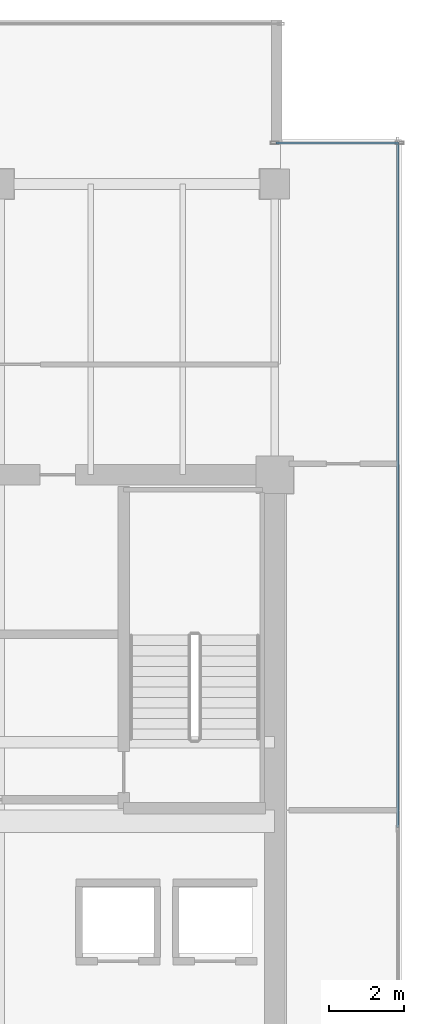
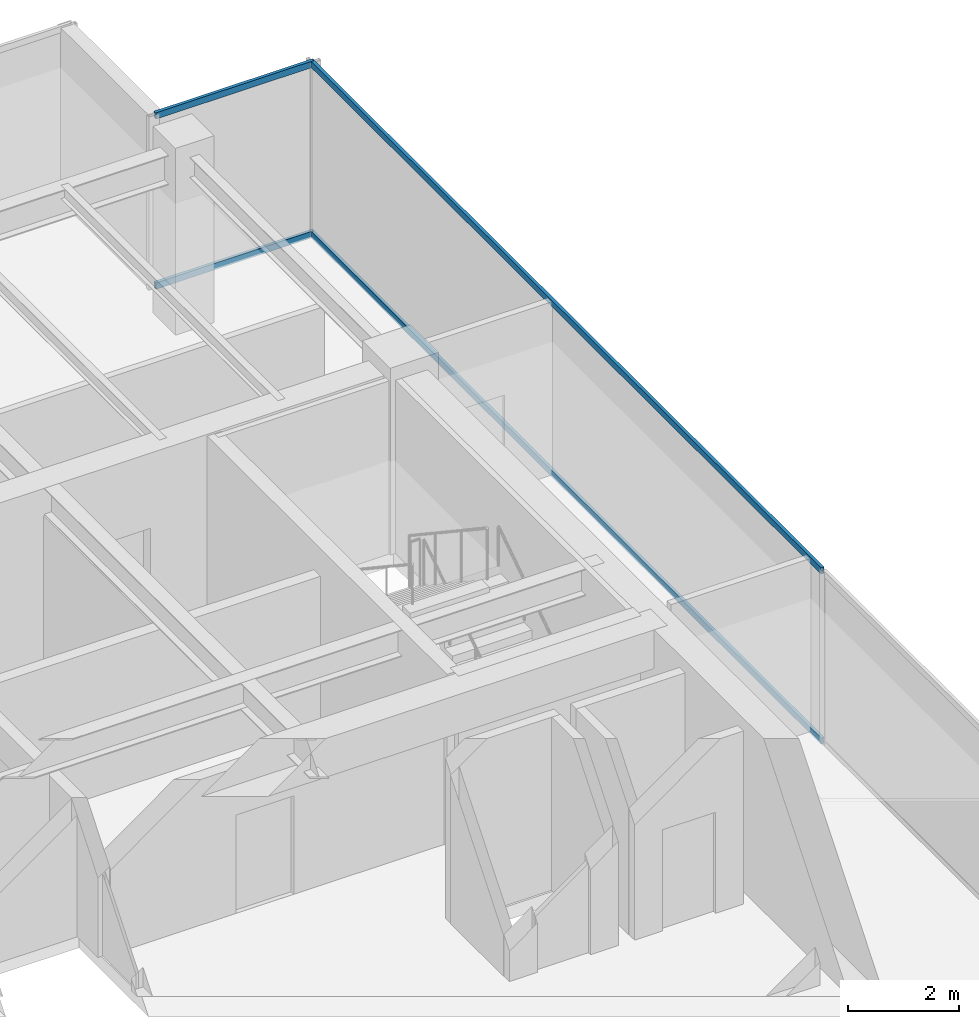
# One storey, part 25 of 35: 4 members, 2 elements without a shape of their own.
"""IFC4 building model written with IfcOpenShell, lengths in metres."""

from ifc_helpers import new_model, si_unit, direction, frame, origin, origin_2d, place, context, subcontext, project, spatial, hollow_rectangle, extrude, source, transform, mapped, material, layer, layer_set, material_profile, profile_set, type_object, type_shapes, element, aggregate, save


model = new_model("IFC4")

# Units and contexts
model_context = context("Model", 3, precision=1e-05, world=origin(), true_north=direction((0.0, 1.0)))
body_context = subcontext(model_context, "Body", "Model", "MODEL_VIEW")
ifc_project = project(units=[si_unit("LENGTHUNIT", "METRE"), si_unit("AREAUNIT", "SQUARE_METRE"), si_unit("VOLUMEUNIT", "CUBIC_METRE"), si_unit("PLANEANGLEUNIT", "RADIAN"), si_unit("MASSUNIT", "GRAM", prefix="KILO")], contexts=[model_context])

# Site, building, storey
site_placement = place(None, origin())
site = spatial("IfcSite", under=ifc_project, at=site_placement, CompositionType="ELEMENT")
building_placement = place(site_placement, origin())
building = spatial("IfcBuilding", under=site, at=building_placement, Name="Haelvirn Gate Laboratories", CompositionType="ELEMENT")
storey_placement = place(building_placement, frame((0.0, 0.0, 221.89990234375)))
storey = spatial("IfcBuildingStorey", under=building, at=storey_placement, Name="L53", CompositionType="ELEMENT", Elevation=221.89990234375)

# Curtain wall, members
ifc_material_1 = material(Name="Anodised bronze unitised aluminium & triple low-E glass", Category="aluminium")
ifc_layer_1 = layer(ifc_material_1, 0.181884765625, Name="CW-SYS-5")
ifc_layer_set_1 = layer_set([ifc_layer_1], Name="Anodised bronze unitised aluminium & triple low-E glass")
curtain_wall_type_1 = type_object("IfcCurtainWallType", Name="CW-SYS-5", PredefinedType="NOTDEFINED", material=ifc_layer_set_1)
curtain_wall_1_placement = place(storey_placement, origin())
curtain_wall_1 = element("IfcCurtainWall", 1, at=curtain_wall_1_placement, inside=storey, type_object=curtain_wall_type_1, Name="L53 Unitised Curtain Wall CW-L53-P0-E08-1", PredefinedType="NOTDEFINED")
ifc_material_2 = material(Name="Extruded aluminium 6063-T6 (anodised bronze)", Category="aluminium")
ifc_material_profile = material_profile(ifc_material_2, hollow_rectangle(XDim=0.06494140625, YDim=0.139892578125, WallThickness=0.00390625, at=origin_2d()), Name="CWT-140x65x4")
ifc_profile_set = profile_set([ifc_material_profile], Name="Extruded aluminium 6063-T6 (anodised bronze)")
member_type = type_object("IfcMemberType", Name="CWT-T140", PredefinedType="USERDEFINED", material=ifc_profile_set)
shared_shape_1 = source(origin(), body_context, "Body", "SweptSolid", [
    extrude(hollow_rectangle(XDim=0.06494140625, YDim=0.139892578125, WallThickness=0.00390625, at=origin_2d()), origin(), (0.0, 0.0, 1.0), 3.280029296875),
])
member_1_placement = place(storey_placement, frame((67.43994140625, 42.699951171875, 0.03271484375), z_axis=(1.0, 0.0, 0.0), x_axis=(0.0, 1.0, 0.0)))
member_1 = element("IfcMember", 2, at=member_1_placement, type_object=member_type, Name="CW5 transom 1.1", ObjectType="TRANSOM", PredefinedType="USERDEFINED", context=body_context, shape_type="MappedRepresentation", body=[
    mapped(shared_shape_1, transform((0.0, 0.0, 0.0), scale=1.0)),
])
member_2_placement = place(storey_placement, frame((67.43994140625, 42.699951171875, 3.767578125), z_axis=(1.0, 0.0, 0.0), x_axis=(0.0, 1.0, 0.0)))
member_2 = element("IfcMember", 3, at=member_2_placement, type_object=member_type, Name="CW5 transom 1.2", ObjectType="TRANSOM", PredefinedType="USERDEFINED", context=body_context, shape_type="MappedRepresentation", body=[
    mapped(shared_shape_1, transform((0.0, 0.0, 0.0), scale=1.0)),
])
aggregate(curtain_wall_1, [member_1, member_2])

ifc_layer_2 = layer(ifc_material_1, 0.176025390625, Name="CW-SYS-4")
ifc_layer_set_2 = layer_set([ifc_layer_2], Name="Anodised bronze unitised aluminium & triple low-E glass")
curtain_wall_type_2 = type_object("IfcCurtainWallType", Name="CW-SYS-4", PredefinedType="NOTDEFINED", material=ifc_layer_set_2)
curtain_wall_2_placement = place(storey_placement, origin())
curtain_wall_2 = element("IfcCurtainWall", 4, at=curtain_wall_2_placement, inside=storey, type_object=curtain_wall_type_2, Name="L53 Unitised Curtain Wall CW-L53-P0-E07", PredefinedType="NOTDEFINED")
shared_shape_2 = source(origin(), body_context, "Body", "SweptSolid", [
    extrude(hollow_rectangle(XDim=0.06494140625, YDim=0.139892578125, WallThickness=0.00390625, at=origin_2d()), origin(), (0.0, 0.0, 1.0), 18.39501953125),
])
type_shapes(member_type, [shared_shape_1, shared_shape_2])
member_3_placement = place(storey_placement, frame((70.699951171875, 24.3349609375, 0.03271484375), z_axis=(0.0, 1.0, 0.0), x_axis=(-1.0, 0.0, 0.0)))
member_3 = element("IfcMember", 5, at=member_3_placement, type_object=member_type, Name="CW4 transom 2.1", ObjectType="TRANSOM", PredefinedType="USERDEFINED", context=body_context, shape_type="MappedRepresentation", body=[
    mapped(shared_shape_2, transform((0.0, 0.0, 0.0), scale=1.0)),
])
member_4_placement = place(storey_placement, frame((70.699951171875, 24.3349609375, 3.767578125), z_axis=(0.0, 1.0, 0.0), x_axis=(-1.0, 0.0, 0.0)))
member_4 = element("IfcMember", 6, at=member_4_placement, type_object=member_type, Name="CW4 transom 2.2", ObjectType="TRANSOM", PredefinedType="USERDEFINED", context=body_context, shape_type="MappedRepresentation", body=[
    mapped(shared_shape_2, transform((0.0, 0.0, 0.0), scale=1.0)),
])
aggregate(curtain_wall_2, [member_3, member_4])

save(model, "model.ifc")
